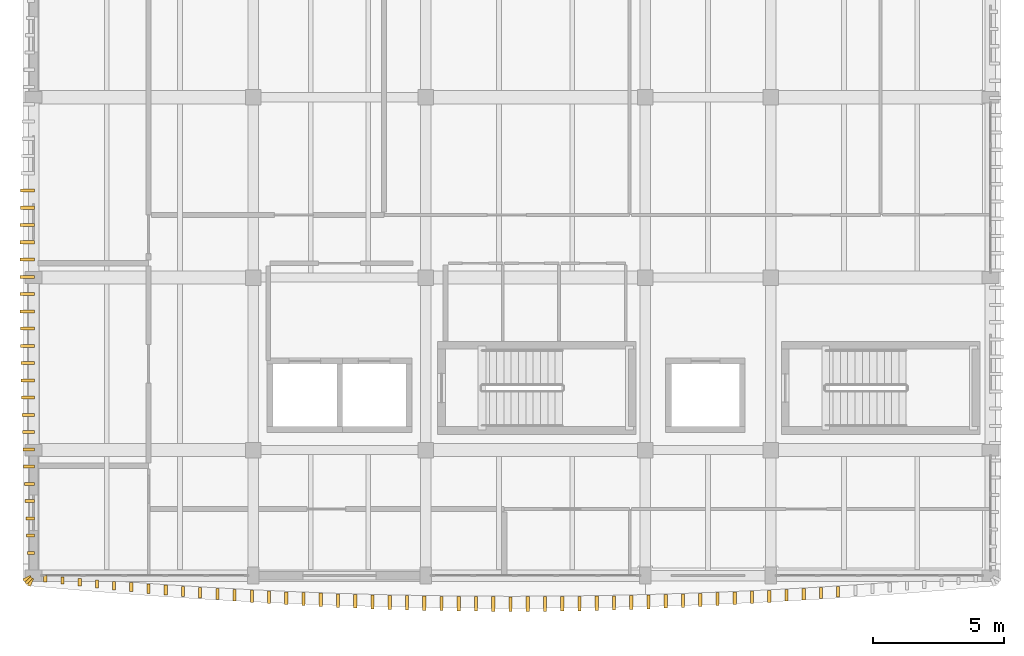
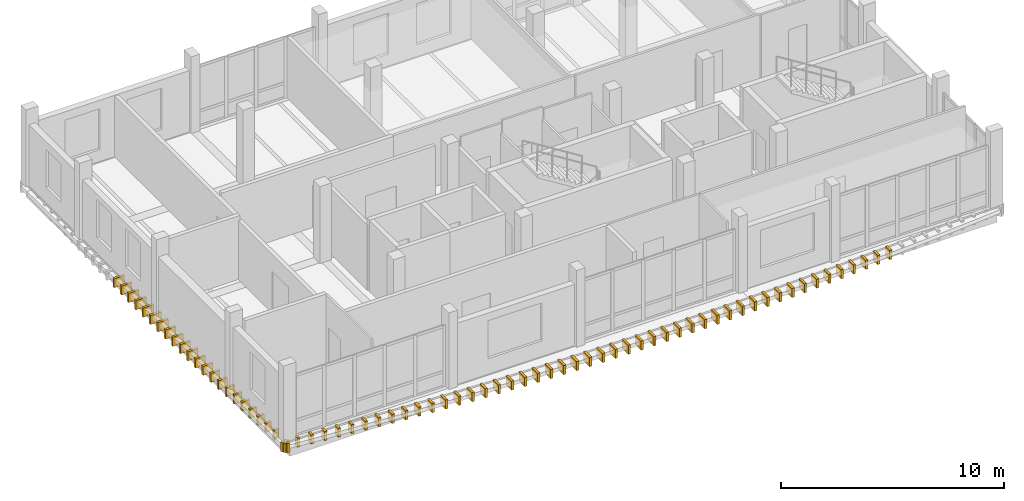
# One storey, part 14 of 16: 72 coverings.
"""IFC4 building model written with IfcOpenShell, lengths in metres."""

from ifc_helpers import new_model, si_unit, direction, frame, origin, origin_2d, place, context, subcontext, project, spatial, rectangle, extrude, material, layer, layer_set, type_object, element, save


model = new_model("IFC4")

# Units and contexts
model_context = context("Model", 3, precision=1e-05, world=origin(), true_north=direction((0.0, 1.0)))
body_context = subcontext(model_context, "Body", "Model", "MODEL_VIEW")
ifc_project = project(units=[si_unit("LENGTHUNIT", "METRE"), si_unit("AREAUNIT", "SQUARE_METRE"), si_unit("VOLUMEUNIT", "CUBIC_METRE"), si_unit("PLANEANGLEUNIT", "RADIAN"), si_unit("MASSUNIT", "GRAM", prefix="KILO")], contexts=[model_context])

# Site, building, storey
site_placement = place(None, origin())
site = spatial("IfcSite", under=ifc_project, at=site_placement, CompositionType="ELEMENT")
building_placement = place(site_placement, origin())
building = spatial("IfcBuilding", under=site, at=building_placement, Name="Dornvale Research Institute", CompositionType="ELEMENT")
storey_placement = place(building_placement, frame((0.0, 0.0, 42.60009765625)))
storey = spatial("IfcBuildingStorey", under=building, at=storey_placement, Name="L09", CompositionType="ELEMENT", Elevation=42.60009765625)

# Coverings
ifc_material = material(Name="Polychrome Glazed Terracotta Visor Rib Ceramic", Category="masonry")
ifc_layer = layer(ifc_material, 0.1201171875)
ifc_layer_set = layer_set([ifc_layer], Name="Polychrome Glazed Terracotta Visor Rib Ceramic")
covering_type = type_object("IfcCoveringType", Name="Covering_VisorBlade_Main", PredefinedType="CLADDING", material=ifc_layer_set)
covering_1_placement = place(storey_placement, frame((5.248291015625, 98.88232421875, -0.489990234375), z_axis=(0.0, 0.0, 1.0), x_axis=(0.0, 1.0, 0.0)))
element("IfcCovering", 1, at=covering_1_placement, inside=storey, type_object=covering_type, Name="L09 V5 canted glazed terracotta visor blade #1535", PredefinedType="CLADDING", context=body_context, shape_type="SweptSolid", body=[
    extrude(rectangle(XDim=0.236083984375, YDim=0.1201171875, at=origin_2d()), origin(), (0.0, 0.0, 1.0), 0.5),
])
covering_2_placement = place(storey_placement, frame((5.90576171875, 98.81201171875, -0.489990234375), z_axis=(0.0, 0.0, 1.0), x_axis=(0.0, 1.0, 0.0)))
element("IfcCovering", 2, at=covering_2_placement, inside=storey, type_object=covering_type, Name="L09 V5 canted glazed terracotta visor blade #1536", PredefinedType="CLADDING", context=body_context, shape_type="SweptSolid", body=[
    extrude(rectangle(XDim=0.260009765625, YDim=0.1201171875, at=origin_2d()), origin(), (0.0, 0.0, 1.0), 0.5),
])
covering_3_placement = place(storey_placement, frame((6.563232421875, 98.742919921875, -0.489990234375), z_axis=(0.0, 0.0, 1.0), x_axis=(0.0, 1.0, 0.0)))
element("IfcCovering", 3, at=covering_3_placement, inside=storey, type_object=covering_type, Name="L09 V5 canted glazed terracotta visor blade #1537", PredefinedType="CLADDING", context=body_context, shape_type="SweptSolid", body=[
    extrude(rectangle(XDim=0.282958984375, YDim=0.1201171875, at=origin_2d()), origin(), (0.0, 0.0, 1.0), 0.5),
])
covering_4_placement = place(storey_placement, frame((7.220947265625, 98.6796875, -0.489990234375), z_axis=(0.0, 0.0, 1.0), x_axis=(0.0, 1.0, 0.0)))
element("IfcCovering", 4, at=covering_4_placement, inside=storey, type_object=covering_type, Name="L09 V5 canted glazed terracotta visor blade #1538", PredefinedType="CLADDING", context=body_context, shape_type="SweptSolid", body=[
    extrude(rectangle(XDim=0.303955078125, YDim=0.1201171875, at=origin_2d()), origin(), (0.0, 0.0, 1.0), 0.5),
])
covering_5_placement = place(storey_placement, frame((7.87890625, 98.616455078125, -0.489990234375), z_axis=(0.0, 0.0, 1.0), x_axis=(0.0, 1.0, 0.0)))
element("IfcCovering", 5, at=covering_5_placement, inside=storey, type_object=covering_type, Name="L09 V5 canted glazed terracotta visor blade #1539", PredefinedType="CLADDING", context=body_context, shape_type="SweptSolid", body=[
    extrude(rectangle(XDim=0.324951171875, YDim=0.1201171875, at=origin_2d()), origin(), (0.0, 0.0, 1.0), 0.5),
])
covering_6_placement = place(storey_placement, frame((8.537109375, 98.55712890625, -0.489990234375), z_axis=(0.0, 0.0, 1.0), x_axis=(0.0, 1.0, 0.0)))
element("IfcCovering", 6, at=covering_6_placement, inside=storey, type_object=covering_type, Name="L09 V5 canted glazed terracotta visor blade #1540", PredefinedType="CLADDING", context=body_context, shape_type="SweptSolid", body=[
    extrude(rectangle(XDim=0.344970703125, YDim=0.1201171875, at=origin_2d()), origin(), (0.0, 0.0, 1.0), 0.5),
])
covering_7_placement = place(storey_placement, frame((9.1953125, 98.500244140625, -0.489990234375), z_axis=(0.0, 0.0, 1.0), x_axis=(0.0, 1.0, 0.0)))
element("IfcCovering", 7, at=covering_7_placement, inside=storey, type_object=covering_type, Name="L09 V5 canted glazed terracotta visor blade #1541", PredefinedType="CLADDING", context=body_context, shape_type="SweptSolid", body=[
    extrude(rectangle(XDim=0.364013671875, YDim=0.1201171875, at=origin_2d()), origin(), (0.0, 0.0, 1.0), 0.5),
])
covering_8_placement = place(storey_placement, frame((9.853759765625, 98.444580078125, -0.489990234375), z_axis=(0.0, 0.0, 1.0), x_axis=(0.0, 1.0, 0.0)))
element("IfcCovering", 8, at=covering_8_placement, inside=storey, type_object=covering_type, Name="L09 V5 canted glazed terracotta visor blade #1542", PredefinedType="CLADDING", context=body_context, shape_type="SweptSolid", body=[
    extrude(rectangle(XDim=0.382080078125, YDim=0.1201171875, at=origin_2d()), origin(), (0.0, 0.0, 1.0), 0.5),
])
covering_9_placement = place(storey_placement, frame((10.512451171875, 98.394287109375, -0.489990234375), z_axis=(0.0, 0.0, 1.0), x_axis=(0.0, 1.0, 0.0)))
element("IfcCovering", 9, at=covering_9_placement, inside=storey, type_object=covering_type, Name="L09 V5 canted glazed terracotta visor blade #1543", PredefinedType="CLADDING", context=body_context, shape_type="SweptSolid", body=[
    extrude(rectangle(XDim=0.39892578125, YDim=0.1201171875, at=origin_2d()), origin(), (0.0, 0.0, 1.0), 0.5),
])
covering_10_placement = place(storey_placement, frame((11.171142578125, 98.34423828125, -0.489990234375), z_axis=(0.0, 0.0, 1.0), x_axis=(0.0, 1.0, 0.0)))
element("IfcCovering", 10, at=covering_10_placement, inside=storey, type_object=covering_type, Name="L09 V5 canted glazed terracotta visor blade #1544", PredefinedType="CLADDING", context=body_context, shape_type="SweptSolid", body=[
    extrude(rectangle(XDim=0.416015625, YDim=0.1201171875, at=origin_2d()), origin(), (0.0, 0.0, 1.0), 0.5),
])
covering_11_placement = place(storey_placement, frame((11.829833984375, 98.298095703125, -0.489990234375), z_axis=(0.0, 0.0, 1.0), x_axis=(0.0, 1.0, 0.0)))
element("IfcCovering", 11, at=covering_11_placement, inside=storey, type_object=covering_type, Name="L09 V5 canted glazed terracotta visor blade #1545", PredefinedType="CLADDING", context=body_context, shape_type="SweptSolid", body=[
    extrude(rectangle(XDim=0.430908203125, YDim=0.1201171875, at=origin_2d()), origin(), (0.0, 0.0, 1.0), 0.5),
])
covering_12_placement = place(storey_placement, frame((12.489013671875, 98.25439453125, -0.489990234375), z_axis=(0.0, 0.0, 1.0), x_axis=(0.0, 1.0, 0.0)))
element("IfcCovering", 12, at=covering_12_placement, inside=storey, type_object=covering_type, Name="L09 V5 canted glazed terracotta visor blade #1546", PredefinedType="CLADDING", context=body_context, shape_type="SweptSolid", body=[
    extrude(rectangle(XDim=0.446044921875, YDim=0.1201171875, at=origin_2d()), origin(), (0.0, 0.0, 1.0), 0.5),
])
covering_13_placement = place(storey_placement, frame((13.14794921875, 98.21142578125, -0.489990234375), z_axis=(0.0, 0.0, 1.0), x_axis=(0.0, 1.0, 0.0)))
element("IfcCovering", 13, at=covering_13_placement, inside=storey, type_object=covering_type, Name="L09 V5 canted glazed terracotta visor blade #1547", PredefinedType="CLADDING", context=body_context, shape_type="SweptSolid", body=[
    extrude(rectangle(XDim=0.4599609375, YDim=0.1201171875, at=origin_2d()), origin(), (0.0, 0.0, 1.0), 0.5),
])
covering_14_placement = place(storey_placement, frame((13.807373046875, 98.17431640625, -0.489990234375), z_axis=(0.0, 0.0, 1.0), x_axis=(0.0, 1.0, 0.0)))
element("IfcCovering", 14, at=covering_14_placement, inside=storey, type_object=covering_type, Name="L09 V5 canted glazed terracotta visor blade #1548", PredefinedType="CLADDING", context=body_context, shape_type="SweptSolid", body=[
    extrude(rectangle(XDim=0.472900390625, YDim=0.1201171875, at=origin_2d()), origin(), (0.0, 0.0, 1.0), 0.5),
])
covering_15_placement = place(storey_placement, frame((14.466552734375, 98.13818359375, -0.489990234375), z_axis=(0.0, 0.0, 1.0), x_axis=(0.0, 1.0, 0.0)))
element("IfcCovering", 15, at=covering_15_placement, inside=storey, type_object=covering_type, Name="L09 V5 canted glazed terracotta visor blade #1549", PredefinedType="CLADDING", context=body_context, shape_type="SweptSolid", body=[
    extrude(rectangle(XDim=0.48388671875, YDim=0.1201171875, at=origin_2d()), origin(), (0.0, 0.0, 1.0), 0.5),
])
covering_16_placement = place(storey_placement, frame((15.1259765625, 98.1044921875, -0.489990234375), z_axis=(0.0, 0.0, 1.0), x_axis=(0.0, 1.0, 0.0)))
element("IfcCovering", 16, at=covering_16_placement, inside=storey, type_object=covering_type, Name="L09 V5 canted glazed terracotta visor blade #1550", PredefinedType="CLADDING", context=body_context, shape_type="SweptSolid", body=[
    extrude(rectangle(XDim=0.49609375, YDim=0.1201171875, at=origin_2d()), origin(), (0.0, 0.0, 1.0), 0.5),
])
covering_17_placement = place(storey_placement, frame((15.785400390625, 98.074462890625, -0.489990234375), z_axis=(0.0, 0.0, 1.0), x_axis=(0.0, 1.0, 0.0)))
element("IfcCovering", 17, at=covering_17_placement, inside=storey, type_object=covering_type, Name="L09 V5 canted glazed terracotta visor blade #1551", PredefinedType="CLADDING", context=body_context, shape_type="SweptSolid", body=[
    extrude(rectangle(XDim=0.506103515625, YDim=0.1201171875, at=origin_2d()), origin(), (0.0, 0.0, 1.0), 0.5),
])
covering_18_placement = place(storey_placement, frame((16.445068359375, 98.044921875, -0.489990234375), z_axis=(0.0, 0.0, 1.0), x_axis=(0.0, 1.0, 0.0)))
element("IfcCovering", 18, at=covering_18_placement, inside=storey, type_object=covering_type, Name="L09 V5 canted glazed terracotta visor blade #1552", PredefinedType="CLADDING", context=body_context, shape_type="SweptSolid", body=[
    extrude(rectangle(XDim=0.514892578125, YDim=0.1201171875, at=origin_2d()), origin(), (0.0, 0.0, 1.0), 0.5),
])
covering_19_placement = place(storey_placement, frame((17.104736328125, 98.02099609375, -0.489990234375), z_axis=(0.0, 0.0, 1.0), x_axis=(0.0, 1.0, 0.0)))
element("IfcCovering", 19, at=covering_19_placement, inside=storey, type_object=covering_type, Name="L09 V5 canted glazed terracotta visor blade #1553", PredefinedType="CLADDING", context=body_context, shape_type="SweptSolid", body=[
    extrude(rectangle(XDim=0.52392578125, YDim=0.1201171875, at=origin_2d()), origin(), (0.0, 0.0, 1.0), 0.5),
])
covering_20_placement = place(storey_placement, frame((17.764404296875, 97.997802734375, -0.489990234375), z_axis=(0.0, 0.0, 1.0), x_axis=(0.0, 1.0, 0.0)))
element("IfcCovering", 20, at=covering_20_placement, inside=storey, type_object=covering_type, Name="L09 V5 canted glazed terracotta visor blade #1554", PredefinedType="CLADDING", context=body_context, shape_type="SweptSolid", body=[
    extrude(rectangle(XDim=0.531005859375, YDim=0.1201171875, at=origin_2d()), origin(), (0.0, 0.0, 1.0), 0.5),
])
covering_21_placement = place(storey_placement, frame((18.42431640625, 97.9775390625, -0.489990234375), z_axis=(0.0, 0.0, 1.0), x_axis=(0.0, 1.0, 0.0)))
element("IfcCovering", 21, at=covering_21_placement, inside=storey, type_object=covering_type, Name="L09 V5 canted glazed terracotta visor blade #1555", PredefinedType="CLADDING", context=body_context, shape_type="SweptSolid", body=[
    extrude(rectangle(XDim=0.5380859375, YDim=0.1201171875, at=origin_2d()), origin(), (0.0, 0.0, 1.0), 0.5),
])
covering_22_placement = place(storey_placement, frame((19.083984375, 97.960693359375, -0.489990234375), z_axis=(0.0, 0.0, 1.0), x_axis=(0.0, 1.0, 0.0)))
element("IfcCovering", 22, at=covering_22_placement, inside=storey, type_object=covering_type, Name="L09 V5 canted glazed terracotta visor blade #1556", PredefinedType="CLADDING", context=body_context, shape_type="SweptSolid", body=[
    extrude(rectangle(XDim=0.5439453125, YDim=0.1201171875, at=origin_2d()), origin(), (0.0, 0.0, 1.0), 0.5),
])
covering_23_placement = place(storey_placement, frame((19.743896484375, 97.944091796875, -0.489990234375), z_axis=(0.0, 0.0, 1.0), x_axis=(0.0, 1.0, 0.0)))
element("IfcCovering", 23, at=covering_23_placement, inside=storey, type_object=covering_type, Name="L09 V5 canted glazed terracotta visor blade #1557", PredefinedType="CLADDING", context=body_context, shape_type="SweptSolid", body=[
    extrude(rectangle(XDim=0.549072265625, YDim=0.1201171875, at=origin_2d()), origin(), (0.0, 0.0, 1.0), 0.5),
])
covering_24_placement = place(storey_placement, frame((20.40380859375, 97.93359375, -0.489990234375), z_axis=(0.0, 0.0, 1.0), x_axis=(0.0, 1.0, 0.0)))
element("IfcCovering", 24, at=covering_24_placement, inside=storey, type_object=covering_type, Name="L09 V5 canted glazed terracotta visor blade #1558", PredefinedType="CLADDING", context=body_context, shape_type="SweptSolid", body=[
    extrude(rectangle(XDim=0.552978515625, YDim=0.1201171875, at=origin_2d()), origin(), (0.0, 0.0, 1.0), 0.5),
])
covering_25_placement = place(storey_placement, frame((21.063720703125, 97.923583984375, -0.489990234375), z_axis=(0.0, 0.0, 1.0), x_axis=(0.0, 1.0, 0.0)))
element("IfcCovering", 25, at=covering_25_placement, inside=storey, type_object=covering_type, Name="L09 V5 canted glazed terracotta visor blade #1559", PredefinedType="CLADDING", context=body_context, shape_type="SweptSolid", body=[
    extrude(rectangle(XDim=0.555908203125, YDim=0.1201171875, at=origin_2d()), origin(), (0.0, 0.0, 1.0), 0.5),
])
covering_26_placement = place(storey_placement, frame((21.723876953125, 97.916748046875, -0.489990234375), z_axis=(0.0, 0.0, 1.0), x_axis=(0.0, 1.0, 0.0)))
element("IfcCovering", 26, at=covering_26_placement, inside=storey, type_object=covering_type, Name="L09 V5 canted glazed terracotta visor blade #1560", PredefinedType="CLADDING", context=body_context, shape_type="SweptSolid", body=[
    extrude(rectangle(XDim=0.55810546875, YDim=0.1201171875, at=origin_2d()), origin(), (0.0, 0.0, 1.0), 0.5),
])
covering_27_placement = place(storey_placement, frame((22.3837890625, 97.91357421875, -0.489990234375), z_axis=(0.0, 0.0, 1.0), x_axis=(0.0, 1.0, 0.0)))
element("IfcCovering", 27, at=covering_27_placement, inside=storey, type_object=covering_type, Name="L09 V5 canted glazed terracotta visor blade #1561", PredefinedType="CLADDING", context=body_context, shape_type="SweptSolid", body=[
    extrude(rectangle(XDim=0.55908203125, YDim=0.1201171875, at=origin_2d()), origin(), (0.0, 0.0, 1.0), 0.5),
])
for number, where, z_axis, x_axis, name in (
    (28, (23.043701171875, 97.91015625, -0.489990234375), (0.0, 0.0, 1.0), (0.0, 1.0, 0.0), "L09 V5 canted glazed terracotta visor blade #1562"),
    (29, (23.703857421875, 97.91259765625, -0.489990234375), (0.0, 0.0, 1.0), (0.0, 1.0, 0.0), "L09 V5 canted glazed terracotta visor blade #1563"),
):
    element("IfcCovering", number, at=place(storey_placement, frame(where, z_axis=z_axis, x_axis=x_axis)), inside=storey, type_object=covering_type, Name=name, PredefinedType="CLADDING", context=body_context, shape_type="SweptSolid", body=[
        extrude(rectangle(XDim=0.56005859375, YDim=0.1201171875, at=origin_2d()), origin(), (0.0, 0.0, 1.0), 0.5),
    ])
covering_28_placement = place(storey_placement, frame((24.36376953125, 97.916259765625, -0.489990234375), z_axis=(0.0, 0.0, 1.0), x_axis=(0.0, 1.0, 0.0)))
element("IfcCovering", 30, at=covering_28_placement, inside=storey, type_object=covering_type, Name="L09 V5 canted glazed terracotta visor blade #1564", PredefinedType="CLADDING", context=body_context, shape_type="SweptSolid", body=[
    extrude(rectangle(XDim=0.55810546875, YDim=0.1201171875, at=origin_2d()), origin(), (0.0, 0.0, 1.0), 0.5),
])
covering_29_placement = place(storey_placement, frame((25.023681640625, 97.92236328125, -0.489990234375), z_axis=(0.0, 0.0, 1.0), x_axis=(0.0, 1.0, 0.0)))
element("IfcCovering", 31, at=covering_29_placement, inside=storey, type_object=covering_type, Name="L09 V5 canted glazed terracotta visor blade #1565", PredefinedType="CLADDING", context=body_context, shape_type="SweptSolid", body=[
    extrude(rectangle(XDim=0.555908203125, YDim=0.1201171875, at=origin_2d()), origin(), (0.0, 0.0, 1.0), 0.5),
])
covering_30_placement = place(storey_placement, frame((25.68359375, 97.93212890625, -0.489990234375), z_axis=(0.0, 0.0, 1.0), x_axis=(0.0, 1.0, 0.0)))
element("IfcCovering", 32, at=covering_30_placement, inside=storey, type_object=covering_type, Name="L09 V5 canted glazed terracotta visor blade #1566", PredefinedType="CLADDING", context=body_context, shape_type="SweptSolid", body=[
    extrude(rectangle(XDim=0.552978515625, YDim=0.1201171875, at=origin_2d()), origin(), (0.0, 0.0, 1.0), 0.5),
])
covering_31_placement = place(storey_placement, frame((26.343505859375, 97.9423828125, -0.489990234375), z_axis=(0.0, 0.0, 1.0), x_axis=(0.0, 1.0, 0.0)))
element("IfcCovering", 33, at=covering_31_placement, inside=storey, type_object=covering_type, Name="L09 V5 canted glazed terracotta visor blade #1567", PredefinedType="CLADDING", context=body_context, shape_type="SweptSolid", body=[
    extrude(rectangle(XDim=0.549072265625, YDim=0.1201171875, at=origin_2d()), origin(), (0.0, 0.0, 1.0), 0.5),
])
covering_32_placement = place(storey_placement, frame((27.00341796875, 97.957763671875, -0.489990234375), z_axis=(0.0, 0.0, 1.0), x_axis=(0.0, 1.0, 0.0)))
element("IfcCovering", 34, at=covering_32_placement, inside=storey, type_object=covering_type, Name="L09 V5 canted glazed terracotta visor blade #1568", PredefinedType="CLADDING", context=body_context, shape_type="SweptSolid", body=[
    extrude(rectangle(XDim=0.544921875, YDim=0.1201171875, at=origin_2d()), origin(), (0.0, 0.0, 1.0), 0.5),
])
covering_33_placement = place(storey_placement, frame((27.663330078125, 97.974609375, -0.489990234375), z_axis=(0.0, 0.0, 1.0), x_axis=(0.0, 1.0, 0.0)))
element("IfcCovering", 35, at=covering_33_placement, inside=storey, type_object=covering_type, Name="L09 V5 canted glazed terracotta visor blade #1569", PredefinedType="CLADDING", context=body_context, shape_type="SweptSolid", body=[
    extrude(rectangle(XDim=0.5390625, YDim=0.1201171875, at=origin_2d()), origin(), (0.0, 0.0, 1.0), 0.5),
])
covering_34_placement = place(storey_placement, frame((28.322998046875, 97.994140625, -0.489990234375), z_axis=(0.0, 0.0, 1.0), x_axis=(0.0, 1.0, 0.0)))
element("IfcCovering", 36, at=covering_34_placement, inside=storey, type_object=covering_type, Name="L09 V5 canted glazed terracotta visor blade #1570", PredefinedType="CLADDING", context=body_context, shape_type="SweptSolid", body=[
    extrude(rectangle(XDim=0.531982421875, YDim=0.1201171875, at=origin_2d()), origin(), (0.0, 0.0, 1.0), 0.5),
])
covering_35_placement = place(storey_placement, frame((28.98291015625, 98.01708984375, -0.489990234375), z_axis=(0.0, 0.0, 1.0), x_axis=(0.0, 1.0, 0.0)))
element("IfcCovering", 37, at=covering_35_placement, inside=storey, type_object=covering_type, Name="L09 V5 canted glazed terracotta visor blade #1571", PredefinedType="CLADDING", context=body_context, shape_type="SweptSolid", body=[
    extrude(rectangle(XDim=0.52490234375, YDim=0.1201171875, at=origin_2d()), origin(), (0.0, 0.0, 1.0), 0.5),
])
covering_36_placement = place(storey_placement, frame((29.642578125, 98.04052734375, -0.489990234375), z_axis=(0.0, 0.0, 1.0), x_axis=(0.0, 1.0, 0.0)))
element("IfcCovering", 38, at=covering_36_placement, inside=storey, type_object=covering_type, Name="L09 V5 canted glazed terracotta visor blade #1572", PredefinedType="CLADDING", context=body_context, shape_type="SweptSolid", body=[
    extrude(rectangle(XDim=0.51708984375, YDim=0.1201171875, at=origin_2d()), origin(), (0.0, 0.0, 1.0), 0.5),
])
covering_37_placement = place(storey_placement, frame((30.302001953125, 98.069580078125, -0.489990234375), z_axis=(0.0, 0.0, 1.0), x_axis=(0.0, 1.0, 0.0)))
element("IfcCovering", 39, at=covering_37_placement, inside=storey, type_object=covering_type, Name="L09 V5 canted glazed terracotta visor blade #1573", PredefinedType="CLADDING", context=body_context, shape_type="SweptSolid", body=[
    extrude(rectangle(XDim=0.507080078125, YDim=0.1201171875, at=origin_2d()), origin(), (0.0, 0.0, 1.0), 0.5),
])
covering_38_placement = place(storey_placement, frame((30.961669921875, 98.099853515625, -0.489990234375), z_axis=(0.0, 0.0, 1.0), x_axis=(0.0, 1.0, 0.0)))
element("IfcCovering", 40, at=covering_38_placement, inside=storey, type_object=covering_type, Name="L09 V5 canted glazed terracotta visor blade #1574", PredefinedType="CLADDING", context=body_context, shape_type="SweptSolid", body=[
    extrude(rectangle(XDim=0.4970703125, YDim=0.1201171875, at=origin_2d()), origin(), (0.0, 0.0, 1.0), 0.5),
])
covering_39_placement = place(storey_placement, frame((31.62109375, 98.132080078125, -0.489990234375), z_axis=(0.0, 0.0, 1.0), x_axis=(0.0, 1.0, 0.0)))
element("IfcCovering", 41, at=covering_39_placement, inside=storey, type_object=covering_type, Name="L09 V5 canted glazed terracotta visor blade #1575", PredefinedType="CLADDING", context=body_context, shape_type="SweptSolid", body=[
    extrude(rectangle(XDim=0.486083984375, YDim=0.1201171875, at=origin_2d()), origin(), (0.0, 0.0, 1.0), 0.5),
])
covering_40_placement = place(storey_placement, frame((32.280517578125, 98.168212890625, -0.489990234375), z_axis=(0.0, 0.0, 1.0), x_axis=(0.0, 1.0, 0.0)))
element("IfcCovering", 42, at=covering_40_placement, inside=storey, type_object=covering_type, Name="L09 V5 canted glazed terracotta visor blade #1576", PredefinedType="CLADDING", context=body_context, shape_type="SweptSolid", body=[
    extrude(rectangle(XDim=0.47509765625, YDim=0.1201171875, at=origin_2d()), origin(), (0.0, 0.0, 1.0), 0.5),
])
covering_41_placement = place(storey_placement, frame((32.939697265625, 98.205322265625, -0.489990234375), z_axis=(0.0, 0.0, 1.0), x_axis=(0.0, 1.0, 0.0)))
element("IfcCovering", 43, at=covering_41_placement, inside=storey, type_object=covering_type, Name="L09 V5 canted glazed terracotta visor blade #1577", PredefinedType="CLADDING", context=body_context, shape_type="SweptSolid", body=[
    extrude(rectangle(XDim=0.4619140625, YDim=0.1201171875, at=origin_2d()), origin(), (0.0, 0.0, 1.0), 0.5),
])
covering_42_placement = place(storey_placement, frame((33.5986328125, 98.247314453125, -0.489990234375), z_axis=(0.0, 0.0, 1.0), x_axis=(0.0, 1.0, 0.0)))
element("IfcCovering", 44, at=covering_42_placement, inside=storey, type_object=covering_type, Name="L09 V5 canted glazed terracotta visor blade #1578", PredefinedType="CLADDING", context=body_context, shape_type="SweptSolid", body=[
    extrude(rectangle(XDim=0.447998046875, YDim=0.1201171875, at=origin_2d()), origin(), (0.0, 0.0, 1.0), 0.5),
])
covering_43_placement = place(storey_placement, frame((34.2578125, 98.290283203125, -0.489990234375), z_axis=(0.0, 0.0, 1.0), x_axis=(0.0, 1.0, 0.0)))
element("IfcCovering", 45, at=covering_43_placement, inside=storey, type_object=covering_type, Name="L09 V5 canted glazed terracotta visor blade #1579", PredefinedType="CLADDING", context=body_context, shape_type="SweptSolid", body=[
    extrude(rectangle(XDim=0.43408203125, YDim=0.1201171875, at=origin_2d()), origin(), (0.0, 0.0, 1.0), 0.5),
])
covering_44_placement = place(storey_placement, frame((34.916748046875, 98.3359375, -0.489990234375), z_axis=(0.0, 0.0, 1.0), x_axis=(0.0, 1.0, 0.0)))
element("IfcCovering", 46, at=covering_44_placement, inside=storey, type_object=covering_type, Name="L09 V5 canted glazed terracotta visor blade #1580", PredefinedType="CLADDING", context=body_context, shape_type="SweptSolid", body=[
    extrude(rectangle(XDim=0.41796875, YDim=0.1201171875, at=origin_2d()), origin(), (0.0, 0.0, 1.0), 0.5),
])
covering_45_placement = place(storey_placement, frame((35.575439453125, 98.3857421875, -0.489990234375), z_axis=(0.0, 0.0, 1.0), x_axis=(0.0, 1.0, 0.0)))
element("IfcCovering", 47, at=covering_45_placement, inside=storey, type_object=covering_type, Name="L09 V5 canted glazed terracotta visor blade #1581", PredefinedType="CLADDING", context=body_context, shape_type="SweptSolid", body=[
    extrude(rectangle(XDim=0.402099609375, YDim=0.1201171875, at=origin_2d()), origin(), (0.0, 0.0, 1.0), 0.5),
])
covering_46_placement = place(storey_placement, frame((4.572998046875, 113.72998046875, -0.489990234375), z_axis=(0.0, 0.0, 1.0), x_axis=(1.0, 0.0, 0.0)))
element("IfcCovering", 48, at=covering_46_placement, inside=storey, type_object=covering_type, Name="L09 V5 canted glazed terracotta visor blade #1691", PredefinedType="CLADDING", context=body_context, shape_type="SweptSolid", body=[
    extrude(rectangle(XDim=0.533935546875, YDim=0.1201171875, at=origin_2d()), origin(), (0.0, 0.0, 1.0), 0.5),
])
covering_47_placement = place(storey_placement, frame((4.568115234375, 113.070068359375, -0.489990234375), z_axis=(0.0, 0.0, 1.0), x_axis=(1.0, 0.0, 0.0)))
element("IfcCovering", 49, at=covering_47_placement, inside=storey, type_object=covering_type, Name="L09 V5 canted glazed terracotta visor blade #1692", PredefinedType="CLADDING", context=body_context, shape_type="SweptSolid", body=[
    extrude(rectangle(XDim=0.5439453125, YDim=0.1201171875, at=origin_2d()), origin(), (0.0, 0.0, 1.0), 0.5),
])
covering_48_placement = place(storey_placement, frame((4.564453125, 112.409912109375, -0.489990234375), z_axis=(0.0, 0.0, 1.0), x_axis=(1.0, 0.0, 0.0)))
element("IfcCovering", 50, at=covering_48_placement, inside=storey, type_object=covering_type, Name="L09 V5 canted glazed terracotta visor blade #1693", PredefinedType="CLADDING", context=body_context, shape_type="SweptSolid", body=[
    extrude(rectangle(XDim=0.551025390625, YDim=0.1201171875, at=origin_2d()), origin(), (0.0, 0.0, 1.0), 0.5),
])
covering_49_placement = place(storey_placement, frame((4.56201171875, 111.75, -0.489990234375), z_axis=(0.0, 0.0, 1.0), x_axis=(1.0, 0.0, 0.0)))
element("IfcCovering", 51, at=covering_49_placement, inside=storey, type_object=covering_type, Name="L09 V5 canted glazed terracotta visor blade #1694", PredefinedType="CLADDING", context=body_context, shape_type="SweptSolid", body=[
    extrude(rectangle(XDim=0.555908203125, YDim=0.1201171875, at=origin_2d()), origin(), (0.0, 0.0, 1.0), 0.5),
])
covering_50_placement = place(storey_placement, frame((4.560546875, 111.090087890625, -0.489990234375), z_axis=(0.0, 0.0, 1.0), x_axis=(1.0, 0.0, 0.0)))
element("IfcCovering", 52, at=covering_50_placement, inside=storey, type_object=covering_type, Name="L09 V5 canted glazed terracotta visor blade #1695", PredefinedType="CLADDING", context=body_context, shape_type="SweptSolid", body=[
    extrude(rectangle(XDim=0.55908203125, YDim=0.1201171875, at=origin_2d()), origin(), (0.0, 0.0, 1.0), 0.5),
])
covering_51_placement = place(storey_placement, frame((4.56005859375, 110.429931640625, -0.489990234375), z_axis=(0.0, 0.0, 1.0), x_axis=(1.0, 0.0, 0.0)))
element("IfcCovering", 53, at=covering_51_placement, inside=storey, type_object=covering_type, Name="L09 V5 canted glazed terracotta visor blade #1696", PredefinedType="CLADDING", context=body_context, shape_type="SweptSolid", body=[
    extrude(rectangle(XDim=0.56005859375, YDim=0.1201171875, at=origin_2d()), origin(), (0.0, 0.0, 1.0), 0.5),
])
covering_52_placement = place(storey_placement, frame((4.56103515625, 109.77001953125, -0.489990234375), z_axis=(0.0, 0.0, 1.0), x_axis=(1.0, 0.0, 0.0)))
element("IfcCovering", 54, at=covering_52_placement, inside=storey, type_object=covering_type, Name="L09 V5 canted glazed terracotta visor blade #1697", PredefinedType="CLADDING", context=body_context, shape_type="SweptSolid", body=[
    extrude(rectangle(XDim=0.55810546875, YDim=0.1201171875, at=origin_2d()), origin(), (0.0, 0.0, 1.0), 0.5),
])
covering_53_placement = place(storey_placement, frame((4.5625, 109.110107421875, -0.489990234375), z_axis=(0.0, 0.0, 1.0), x_axis=(1.0, 0.0, 0.0)))
element("IfcCovering", 55, at=covering_53_placement, inside=storey, type_object=covering_type, Name="L09 V5 canted glazed terracotta visor blade #1698", PredefinedType="CLADDING", context=body_context, shape_type="SweptSolid", body=[
    extrude(rectangle(XDim=0.554931640625, YDim=0.1201171875, at=origin_2d()), origin(), (0.0, 0.0, 1.0), 0.5),
])
covering_54_placement = place(storey_placement, frame((4.5654296875, 108.449951171875, -0.489990234375), z_axis=(0.0, 0.0, 1.0), x_axis=(1.0, 0.0, 0.0)))
element("IfcCovering", 56, at=covering_54_placement, inside=storey, type_object=covering_type, Name="L09 V5 canted glazed terracotta visor blade #1699", PredefinedType="CLADDING", context=body_context, shape_type="SweptSolid", body=[
    extrude(rectangle(XDim=0.549072265625, YDim=0.1201171875, at=origin_2d()), origin(), (0.0, 0.0, 1.0), 0.5),
])
covering_55_placement = place(storey_placement, frame((4.569580078125, 107.7900390625, -0.489990234375), z_axis=(0.0, 0.0, 1.0), x_axis=(1.0, 0.0, 0.0)))
element("IfcCovering", 57, at=covering_55_placement, inside=storey, type_object=covering_type, Name="L09 V5 canted glazed terracotta visor blade #1700", PredefinedType="CLADDING", context=body_context, shape_type="SweptSolid", body=[
    extrude(rectangle(XDim=0.541015625, YDim=0.1201171875, at=origin_2d()), origin(), (0.0, 0.0, 1.0), 0.5),
])
covering_56_placement = place(storey_placement, frame((4.574951171875, 107.1298828125, -0.489990234375), z_axis=(0.0, 0.0, 1.0), x_axis=(1.0, 0.0, 0.0)))
element("IfcCovering", 58, at=covering_56_placement, inside=storey, type_object=covering_type, Name="L09 V5 canted glazed terracotta visor blade #1701", PredefinedType="CLADDING", context=body_context, shape_type="SweptSolid", body=[
    extrude(rectangle(XDim=0.530029296875, YDim=0.1201171875, at=origin_2d()), origin(), (0.0, 0.0, 1.0), 0.5),
])
covering_57_placement = place(storey_placement, frame((4.5810546875, 106.469970703125, -0.489990234375), z_axis=(0.0, 0.0, 1.0), x_axis=(1.0, 0.0, 0.0)))
element("IfcCovering", 59, at=covering_57_placement, inside=storey, type_object=covering_type, Name="L09 V5 canted glazed terracotta visor blade #1702", PredefinedType="CLADDING", context=body_context, shape_type="SweptSolid", body=[
    extrude(rectangle(XDim=0.51806640625, YDim=0.1201171875, at=origin_2d()), origin(), (0.0, 0.0, 1.0), 0.5),
])
covering_58_placement = place(storey_placement, frame((4.58837890625, 105.81005859375, -0.489990234375), z_axis=(0.0, 0.0, 1.0), x_axis=(1.0, 0.0, 0.0)))
element("IfcCovering", 60, at=covering_58_placement, inside=storey, type_object=covering_type, Name="L09 V5 canted glazed terracotta visor blade #1703", PredefinedType="CLADDING", context=body_context, shape_type="SweptSolid", body=[
    extrude(rectangle(XDim=0.5029296875, YDim=0.1201171875, at=origin_2d()), origin(), (0.0, 0.0, 1.0), 0.5),
])
covering_59_placement = place(storey_placement, frame((4.596923828125, 105.14990234375, -0.489990234375), z_axis=(0.0, 0.0, 1.0), x_axis=(1.0, 0.0, 0.0)))
element("IfcCovering", 61, at=covering_59_placement, inside=storey, type_object=covering_type, Name="L09 V5 canted glazed terracotta visor blade #1704", PredefinedType="CLADDING", context=body_context, shape_type="SweptSolid", body=[
    extrude(rectangle(XDim=0.486083984375, YDim=0.1201171875, at=origin_2d()), origin(), (0.0, 0.0, 1.0), 0.5),
])
covering_60_placement = place(storey_placement, frame((4.60693359375, 104.489990234375, -0.489990234375), z_axis=(0.0, 0.0, 1.0), x_axis=(1.0, 0.0, 0.0)))
element("IfcCovering", 62, at=covering_60_placement, inside=storey, type_object=covering_type, Name="L09 V5 canted glazed terracotta visor blade #1705", PredefinedType="CLADDING", context=body_context, shape_type="SweptSolid", body=[
    extrude(rectangle(XDim=0.466064453125, YDim=0.1201171875, at=origin_2d()), origin(), (0.0, 0.0, 1.0), 0.5),
])
covering_61_placement = place(storey_placement, frame((4.617431640625, 103.830078125, -0.489990234375), z_axis=(0.0, 0.0, 1.0), x_axis=(1.0, 0.0, 0.0)))
element("IfcCovering", 63, at=covering_61_placement, inside=storey, type_object=covering_type, Name="L09 V5 canted glazed terracotta visor blade #1706", PredefinedType="CLADDING", context=body_context, shape_type="SweptSolid", body=[
    extrude(rectangle(XDim=0.445068359375, YDim=0.1201171875, at=origin_2d()), origin(), (0.0, 0.0, 1.0), 0.5),
])
covering_62_placement = place(storey_placement, frame((4.62939453125, 103.169921875, -0.489990234375), z_axis=(0.0, 0.0, 1.0), x_axis=(1.0, 0.0, 0.0)))
element("IfcCovering", 64, at=covering_62_placement, inside=storey, type_object=covering_type, Name="L09 V5 canted glazed terracotta visor blade #1707", PredefinedType="CLADDING", context=body_context, shape_type="SweptSolid", body=[
    extrude(rectangle(XDim=0.4208984375, YDim=0.1201171875, at=origin_2d()), origin(), (0.0, 0.0, 1.0), 0.5),
])
covering_63_placement = place(storey_placement, frame((4.642578125, 102.510009765625, -0.489990234375), z_axis=(0.0, 0.0, 1.0), x_axis=(1.0, 0.0, 0.0)))
element("IfcCovering", 65, at=covering_63_placement, inside=storey, type_object=covering_type, Name="L09 V5 canted glazed terracotta visor blade #1708", PredefinedType="CLADDING", context=body_context, shape_type="SweptSolid", body=[
    extrude(rectangle(XDim=0.39501953125, YDim=0.1201171875, at=origin_2d()), origin(), (0.0, 0.0, 1.0), 0.5),
])
covering_64_placement = place(storey_placement, frame((4.656494140625, 101.85009765625, -0.489990234375), z_axis=(0.0, 0.0, 1.0), x_axis=(1.0, 0.0, 0.0)))
element("IfcCovering", 66, at=covering_64_placement, inside=storey, type_object=covering_type, Name="L09 V5 canted glazed terracotta visor blade #1709", PredefinedType="CLADDING", context=body_context, shape_type="SweptSolid", body=[
    extrude(rectangle(XDim=0.366943359375, YDim=0.1201171875, at=origin_2d()), origin(), (0.0, 0.0, 1.0), 0.5),
])
covering_65_placement = place(storey_placement, frame((4.67138671875, 101.18994140625, -0.489990234375), z_axis=(0.0, 0.0, 1.0), x_axis=(1.0, 0.0, 0.0)))
element("IfcCovering", 67, at=covering_65_placement, inside=storey, type_object=covering_type, Name="L09 V5 canted glazed terracotta visor blade #1710", PredefinedType="CLADDING", context=body_context, shape_type="SweptSolid", body=[
    extrude(rectangle(XDim=0.3369140625, YDim=0.1201171875, at=origin_2d()), origin(), (0.0, 0.0, 1.0), 0.5),
])
covering_66_placement = place(storey_placement, frame((4.68798828125, 100.530029296875, -0.489990234375), z_axis=(0.0, 0.0, 1.0), x_axis=(1.0, 0.0, 0.0)))
element("IfcCovering", 68, at=covering_66_placement, inside=storey, type_object=covering_type, Name="L09 V5 canted glazed terracotta visor blade #1711", PredefinedType="CLADDING", context=body_context, shape_type="SweptSolid", body=[
    extrude(rectangle(XDim=0.303955078125, YDim=0.1201171875, at=origin_2d()), origin(), (0.0, 0.0, 1.0), 0.5),
])
covering_67_placement = place(storey_placement, frame((4.70556640625, 99.8701171875, -0.489990234375), z_axis=(0.0, 0.0, 1.0), x_axis=(1.0, 0.0, 0.0)))
element("IfcCovering", 69, at=covering_67_placement, inside=storey, type_object=covering_type, Name="L09 V5 canted glazed terracotta visor blade #1712", PredefinedType="CLADDING", context=body_context, shape_type="SweptSolid", body=[
    extrude(rectangle(XDim=0.26904296875, YDim=0.1201171875, at=origin_2d()), origin(), (0.0, 0.0, 1.0), 0.5),
])
for number, where, z_axis, x_axis, name in (
    (70, (4.555419921875, 98.885986328125, -0.489990234375), (0.0, 0.0, 1.0), (-0.906307787037, -0.422618261741, 0.0), "L09 V5 corner-wrapping visor blade #1713"),
    (71, (4.609130859375, 98.80908203125, -0.489990234375), (0.0, 0.0, 1.0), (-0.707106781187, -0.707106781187, 0.0), "L09 V5 corner-wrapping visor blade #1714"),
    (72, (4.685791015625, 98.75537109375, -0.489990234375), (0.0, 0.0, 1.0), (-0.422618261741, -0.906307787037, 0.0), "L09 V5 corner-wrapping visor blade #1715"),
):
    element("IfcCovering", number, at=place(storey_placement, frame(where, z_axis=z_axis, x_axis=x_axis)), inside=storey, type_object=covering_type, Name=name, PredefinedType="CLADDING", context=body_context, shape_type="SweptSolid", body=[
        extrude(rectangle(XDim=0.320068359375, YDim=0.1201171875, at=origin_2d()), origin(), (0.0, 0.0, 1.0), 0.5),
    ])

save(model, "model.ifc")
